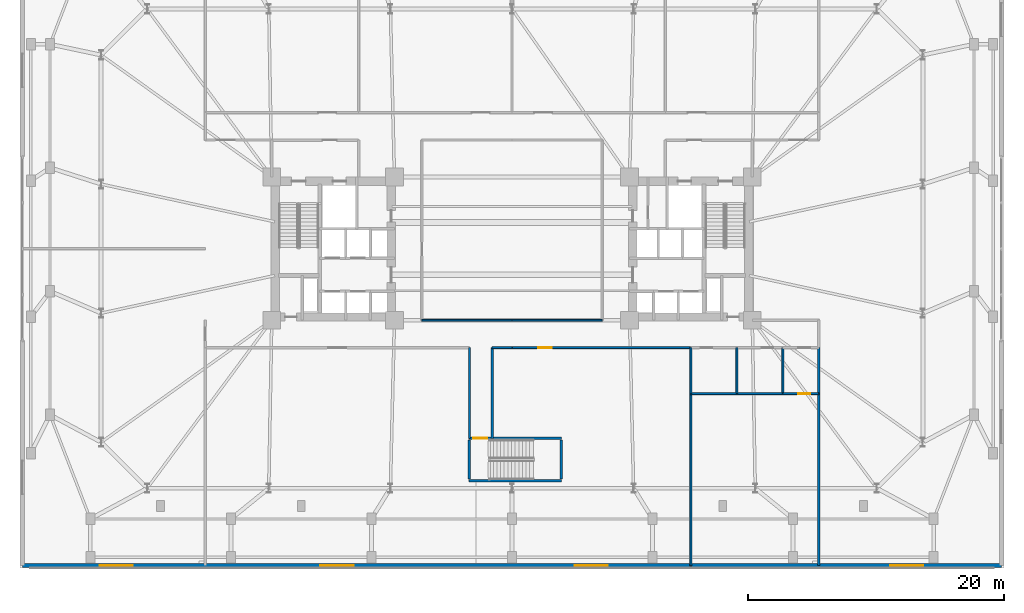
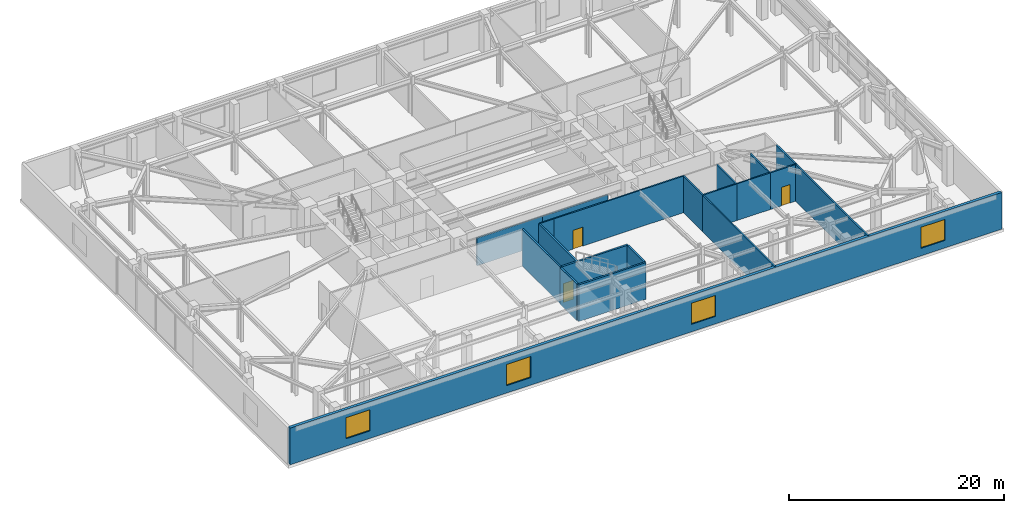
# One storey, part 15 of 23: 20 walls, 4 windows, 3 doors, 7 openings.
"""IFC4 building model written with IfcOpenShell, lengths in metres."""

from ifc_helpers import new_model, si_unit, direction, frame, frame_2d, origin, place, context, subcontext, project, spatial, rectangle, extrude, material, layer, layer_set, type_object, element, fill, save


model = new_model("IFC4")

# Units and contexts
model_context = context("Model", 3, precision=1e-05, world=origin(), true_north=direction((0.0, 1.0)))
body_context = subcontext(model_context, "Body", "Model", "MODEL_VIEW")
ifc_project = project(units=[si_unit("LENGTHUNIT", "METRE"), si_unit("AREAUNIT", "SQUARE_METRE"), si_unit("VOLUMEUNIT", "CUBIC_METRE"), si_unit("PLANEANGLEUNIT", "RADIAN"), si_unit("MASSUNIT", "GRAM", prefix="KILO")], contexts=[model_context])

# Site, building, storey
site_placement = place(None, origin())
site = spatial("IfcSite", under=ifc_project, at=site_placement, CompositionType="ELEMENT")
building_placement = place(site_placement, origin())
building = spatial("IfcBuilding", under=site, at=building_placement, Name="Qobustan Lattice House", CompositionType="ELEMENT")
storey_placement = place(building_placement, frame((0.0, 0.0, 9.0)))
storey = spatial("IfcBuildingStorey", under=building, at=storey_placement, Name="L02", CompositionType="ELEMENT", Elevation=9.0)

# Wall, openings, windows
ifc_material_1 = material(Name="Precast concrete C40/50", Category="concrete")
ifc_layer_1 = layer(ifc_material_1, 0.320068359375)
ifc_layer_set_1 = layer_set([ifc_layer_1], Name="Precast concrete C40/50")
wall_type_1 = type_object("IfcWallType", Name="WAL-EXT-STONE-320", PredefinedType="SOLIDWALL", material=ifc_layer_set_1)
wall_1_placement = place(storey_placement, frame((38.300048828125, -24.800048828125, 0.0), z_axis=(0.0, 0.0, 1.0), x_axis=(-1.0, 0.0, 0.0)))
wall_1 = element("IfcWall", 1, at=wall_1_placement, inside=storey, type_object=wall_type_1, Name="L02 exterior limestone-clad wall 4", PredefinedType="SOLIDWALL", context=body_context, shape_type="SweptSolid", body=[
    extrude(rectangle(XDim=76.60009765625, YDim=0.320068359375, at=frame_2d((38.300048828125, 0.0))), origin(), (0.0, 0.0, 1.0), 4.169921875),
])
opening_1_placement = place(wall_1_placement, frame((6.10400390625, 0.0, 0.85009765625)))
opening_1 = element("IfcOpeningElement", 2, at=opening_1_placement, cuts=wall_1, Name="Opening WN-06", PredefinedType="OPENING", context=body_context, shape_type="SweptSolid", body=[
    extrude(rectangle(XDim=2.60009765625, YDim=2.39990234375, at=frame_2d((1.300048828125, 1.199951171875))), frame((0.0, 0.169921875, 0.0), z_axis=(0.0, -1.0, 0.0), x_axis=(1.0, 0.0, 0.0)), (0.0, 0.0, 1.0), 0.340087890625),
])
opening_2_placement = place(wall_1_placement, frame((30.796875, 0.0, 0.85009765625)))
opening_2 = element("IfcOpeningElement", 3, at=opening_2_placement, cuts=wall_1, Name="Opening WN-06", PredefinedType="OPENING", context=body_context, shape_type="SweptSolid", body=[
    extrude(rectangle(XDim=2.60009765625, YDim=2.39990234375, at=frame_2d((1.300048828125, 1.199951171875))), frame((0.0, 0.169921875, 0.0), z_axis=(0.0, -1.0, 0.0), x_axis=(1.0, 0.0, 0.0)), (0.0, 0.0, 1.0), 0.340087890625),
])
opening_3_placement = place(wall_1_placement, frame((50.68701171875, 0.0, 0.85009765625)))
opening_3 = element("IfcOpeningElement", 4, at=opening_3_placement, cuts=wall_1, Name="Opening WN-06", PredefinedType="OPENING", context=body_context, shape_type="SweptSolid", body=[
    extrude(rectangle(XDim=2.60009765625, YDim=2.39990234375, at=frame_2d((1.300048828125, 1.199951171875))), frame((0.0, 0.169921875, 0.0), z_axis=(0.0, -1.0, 0.0), x_axis=(1.0, 0.0, 0.0)), (0.0, 0.0, 1.0), 0.340087890625),
])
opening_4_placement = place(wall_1_placement, frame((67.976318359375, 0.0, 0.85009765625)))
opening_4 = element("IfcOpeningElement", 5, at=opening_4_placement, cuts=wall_1, Name="Opening WN-06", PredefinedType="OPENING", context=body_context, shape_type="SweptSolid", body=[
    extrude(rectangle(XDim=2.60009765625, YDim=2.39990234375, at=frame_2d((1.300048828125, 1.199951171875))), frame((0.0, 0.169921875, 0.0), z_axis=(0.0, -1.0, 0.0), x_axis=(1.0, 0.0, 0.0)), (0.0, 0.0, 1.0), 0.340087890625),
])
ifc_material_2 = material(Name="Double-glazed low-E aluminium window", Category="aluminium")
window_type = type_object("IfcWindowType", Name="WIN-POD-2600x2400", PartitioningType="SINGLE_PANEL", PredefinedType="WINDOW", material=ifc_material_2)
window_1_placement = place(opening_1_placement, origin())
window_1 = element("IfcWindow", 6, at=window_1_placement, inside=storey, type_object=window_type, Name="L02 Design exhibition hall window", OverallHeight=2.39990234375, OverallWidth=2.60009765625, PartitioningType="SINGLE_PANEL", PredefinedType="WINDOW", context=body_context, shape_type="SweptSolid", body=[
    extrude(rectangle(XDim=2.60009765625, YDim=2.39990234375, at=frame_2d((1.300048828125, 1.199951171875))), frame((0.0, 0.030029296875, 0.0), z_axis=(0.0, -1.0, 0.0), x_axis=(1.0, 0.0, 0.0)), (0.0, 0.0, 1.0), 0.06005859375),
])
fill(opening_1, window_1)
window_2_placement = place(opening_2_placement, origin())
window_2 = element("IfcWindow", 7, at=window_2_placement, inside=storey, type_object=window_type, Name="L02 Critique jury room window", OverallHeight=2.39990234375, OverallWidth=2.60009765625, PartitioningType="SINGLE_PANEL", PredefinedType="WINDOW", context=body_context, shape_type="SweptSolid", body=[
    extrude(rectangle(XDim=2.60009765625, YDim=2.39990234375, at=frame_2d((1.300048828125, 1.199951171875))), frame((0.0, 0.030029296875, 0.0), z_axis=(0.0, -1.0, 0.0), x_axis=(1.0, 0.0, 0.0)), (0.0, 0.0, 1.0), 0.06005859375),
])
fill(opening_2, window_2)
window_3_placement = place(opening_3_placement, origin())
window_3 = element("IfcWindow", 8, at=window_3_placement, inside=storey, type_object=window_type, Name="L02 Acoustic lecture theatre window", OverallHeight=2.39990234375, OverallWidth=2.60009765625, PartitioningType="SINGLE_PANEL", PredefinedType="WINDOW", context=body_context, shape_type="SweptSolid", body=[
    extrude(rectangle(XDim=2.60009765625, YDim=2.39990234375, at=frame_2d((1.300048828125, 1.199951171875))), frame((0.0, 0.030029296875, 0.0), z_axis=(0.0, -1.0, 0.0), x_axis=(1.0, 0.0, 0.0)), (0.0, 0.0, 1.0), 0.06005859375),
])
fill(opening_3, window_3)
window_4_placement = place(opening_4_placement, origin())
window_4 = element("IfcWindow", 9, at=window_4_placement, inside=storey, type_object=window_type, Name="L02 Architecture fabrication makerspace window", OverallHeight=2.39990234375, OverallWidth=2.60009765625, PartitioningType="SINGLE_PANEL", PredefinedType="WINDOW", context=body_context, shape_type="SweptSolid", body=[
    extrude(rectangle(XDim=2.60009765625, YDim=2.39990234375, at=frame_2d((1.300048828125, 1.199951171875))), frame((0.0, 0.030029296875, 0.0), z_axis=(0.0, -1.0, 0.0), x_axis=(1.0, 0.0, 0.0)), (0.0, 0.0, 1.0), 0.06005859375),
])
fill(opening_4, window_4)

# Walls
ifc_material_3 = material(Name="Gypsum fireboard acoustic partition", Category="gypsum")
ifc_layer_2 = layer(ifc_material_3, 0.179931640625)
ifc_layer_set_2 = layer_set([ifc_layer_2], Name="Gypsum fireboard acoustic partition")
wall_type_2 = type_object("IfcWallType", Name="WAL-FIRE-180", PredefinedType="PARTITIONING", material=ifc_layer_set_2)
for number, where, z_axis, x_axis, name in (
    (10, (-3.320068359375, -14.860107421875, 0.0), (0.0, 0.0, 1.0), (0.0, 1.0, 0.0), "L02 interior partition 59"),
    (11, (-1.550048828125, -7.75, 0.0), (0.0, 0.0, 1.0), (0.0, -1.0, 0.0), "L02 interior partition 60"),
):
    element("IfcWall", number, at=place(storey_placement, frame(where, z_axis=z_axis, x_axis=x_axis)), inside=storey, type_object=wall_type_2, Name=name, PredefinedType="PARTITIONING", context=body_context, shape_type="SweptSolid", body=[
        extrude(rectangle(XDim=7.110107421875, YDim=0.179931640625, at=frame_2d((3.55517578125, 0.0))), origin(), (0.0, 0.0, 1.0), 4.169921875),
    ])
ifc_material_4 = material(Name="Acoustic twin-stud gypsum partition", Category="gypsum")
ifc_layer_3 = layer(ifc_material_4, 0.14990234375)
ifc_layer_set_3 = layer_set([ifc_layer_3], Name="Acoustic twin-stud gypsum partition")
wall_type_3 = type_object("IfcWallType", Name="WAL-PART-150", PredefinedType="PARTITIONING", material=ifc_layer_set_3)
wall_2_placement = place(storey_placement, frame((0.0, -7.75, 0.0), z_axis=(0.0, 0.0, 1.0), x_axis=(-1.0, 0.0, 0.0)))
element("IfcWall", 12, at=wall_2_placement, inside=storey, type_object=wall_type_3, Name="L02 interior partition 48", PredefinedType="PARTITIONING", context=body_context, shape_type="SweptSolid", body=[
    extrude(rectangle(XDim=1.550048828125, YDim=0.14990234375, at=frame_2d((0.77490234375, 0.0))), origin(), (0.0, 0.0, 1.0), 4.169921875),
])
wall_3_placement = place(storey_placement, frame((-7.050048828125, -5.60009765625, 0.0), z_axis=(0.0, 0.0, 1.0), x_axis=(1.0, 0.0, 0.0)))
element("IfcWall", 13, at=wall_3_placement, inside=storey, type_object=wall_type_3, Name="L02 interior partition 49", PredefinedType="PARTITIONING", context=body_context, shape_type="SweptSolid", body=[
    extrude(rectangle(XDim=7.050048828125, YDim=0.14990234375, at=frame_2d((3.52490234375, 0.0))), origin(), (0.0, 0.0, 1.0), 3.14697265625),
])

# Wall, opening, door
wall_4_placement = place(storey_placement, frame((14.0, -7.75, 0.0), z_axis=(0.0, 0.0, 1.0), x_axis=(-1.0, 0.0, 0.0)))
wall_4 = element("IfcWall", 14, at=wall_4_placement, inside=storey, type_object=wall_type_3, Name="L02 interior partition 50", PredefinedType="PARTITIONING", context=body_context, shape_type="SweptSolid", body=[
    extrude(rectangle(XDim=14.0, YDim=0.14990234375, at=frame_2d((7.0, 0.0))), origin(), (0.0, 0.0, 1.0), 4.169921875),
])
opening_5_placement = place(wall_4_placement, frame((10.896240234375, 0.0, 0.0)))
opening_5 = element("IfcOpeningElement", 15, at=opening_5_placement, cuts=wall_4, Name="Opening ID-02", PredefinedType="OPENING", context=body_context, shape_type="SweptSolid", body=[
    extrude(rectangle(XDim=1.050048828125, YDim=2.14990234375, at=frame_2d((0.52490234375, 1.074951171875))), frame((0.0, 0.0849609375, 0.0), z_axis=(0.0, -1.0, 0.0), x_axis=(1.0, 0.0, 0.0)), (0.0, 0.0, 1.0), 0.169921875),
])
ifc_material_5 = material(Name="Persian walnut timber and steel frame door", Category="steel")
door_type_1 = type_object("IfcDoorType", Name="DOR-STUDY-1050x2150", OperationType="NOTDEFINED", PredefinedType="DOOR", material=ifc_material_5)
door_1_placement = place(opening_5_placement, origin())
door_1 = element("IfcDoor", 16, at=door_1_placement, inside=storey, type_object=door_type_1, Name="L02 South-east podium corridor to Critique jury room door", OperationType="SINGLE_SWING_RIGHT", OverallHeight=2.14990234375, OverallWidth=1.050048828125, PredefinedType="DOOR", context=body_context, shape_type="SweptSolid", body=[
    extrude(rectangle(XDim=1.050048828125, YDim=2.14990234375, at=frame_2d((0.52490234375, 1.074951171875))), frame((0.0, 0.02490234375, 0.0), z_axis=(0.0, -1.0, 0.0), x_axis=(1.0, 0.0, 0.0)), (0.0, 0.0, 1.0), 0.050048828125),
])
fill(opening_5, door_1)

# Walls
wall_5_placement = place(storey_placement, frame((0.0, -5.60009765625, 0.0), z_axis=(0.0, 0.0, 1.0), x_axis=(1.0, 0.0, 0.0)))
element("IfcWall", 17, at=wall_5_placement, inside=storey, type_object=wall_type_3, Name="L02 interior partition 54", PredefinedType="PARTITIONING", context=body_context, shape_type="SweptSolid", body=[
    extrude(rectangle(XDim=7.050048828125, YDim=0.14990234375, at=frame_2d((3.52490234375, 0.0))), origin(), (0.0, 0.0, 1.0), 3.14697265625),
])
wall_6_placement = place(storey_placement, frame((14.0, -11.35009765625, 0.0), z_axis=(0.0, 0.0, 1.0), x_axis=(0.0, -1.0, 0.0)))
element("IfcWall", 18, at=wall_6_placement, inside=storey, type_object=wall_type_3, Name="L02 interior partition 69", PredefinedType="PARTITIONING", context=body_context, shape_type="SweptSolid", body=[
    extrude(rectangle(XDim=13.449951171875, YDim=0.14990234375, at=frame_2d((6.72509765625, 0.0))), origin(), (0.0, 0.0, 1.0), 4.169921875),
])

# Wall, opening, door
wall_7_placement = place(storey_placement, frame((24.0, -11.35009765625, 0.0), z_axis=(0.0, 0.0, 1.0), x_axis=(-1.0, 0.0, 0.0)))
wall_7 = element("IfcWall", 19, at=wall_7_placement, inside=storey, type_object=wall_type_3, Name="L02 interior partition 74", PredefinedType="PARTITIONING", context=body_context, shape_type="SweptSolid", body=[
    extrude(rectangle(XDim=2.800048828125, YDim=0.14990234375, at=frame_2d((1.39990234375, 0.0))), origin(), (0.0, 0.0, 1.0), 4.169921875),
])
opening_6_placement = place(wall_7_placement, frame((0.666259765625, 0.0, 0.0)))
opening_6 = element("IfcOpeningElement", 20, at=opening_6_placement, cuts=wall_7, Name="Opening ID-01", PredefinedType="OPENING", context=body_context, shape_type="SweptSolid", body=[
    extrude(rectangle(XDim=0.949951171875, YDim=2.10009765625, at=frame_2d((0.47509765625, 1.050048828125))), frame((0.0, 0.0849609375, 0.0), z_axis=(0.0, -1.0, 0.0), x_axis=(1.0, 0.0, 0.0)), (0.0, 0.0, 1.0), 0.169921875),
])
ifc_material_6 = material(Name="Persian walnut timber and steel frame door", Category="steel")
door_type_2 = type_object("IfcDoorType", Name="DOR-ROOM-950x2100", OperationType="NOTDEFINED", PredefinedType="DOOR", material=ifc_material_6)
door_2_placement = place(opening_6_placement, origin())
door_2 = element("IfcDoor", 21, at=door_2_placement, inside=storey, type_object=door_type_2, Name="L02 Janitor supply store to Equipment and archive store door", OperationType="SINGLE_SWING_LEFT", OverallHeight=2.10009765625, OverallWidth=0.949951171875, PredefinedType="DOOR", context=body_context, shape_type="SweptSolid", body=[
    extrude(rectangle(XDim=0.949951171875, YDim=2.10009765625, at=frame_2d((0.47509765625, 1.050048828125))), frame((0.0, 0.02490234375, 0.0), z_axis=(0.0, -1.0, 0.0), x_axis=(1.0, 0.0, 0.0)), (0.0, 0.0, 1.0), 0.050048828125),
])
fill(opening_6, door_2)

# Walls
ifc_material_7 = material(Name="High-mass acoustic twin-stud partition", Category="gypsum")
ifc_layer_4 = layer(ifc_material_7, 0.1650390625)
ifc_layer_set_4 = layer_set([ifc_layer_4], Name="High-mass acoustic twin-stud partition")
wall_type_4 = type_object("IfcWallType", Name="WAL-PART-165", PredefinedType="PARTITIONING", material=ifc_layer_set_4)
wall_8_placement = place(storey_placement, frame((24.0, -7.75, 0.0), z_axis=(0.0, 0.0, 1.0), x_axis=(0.0, -1.0, 0.0)))
element("IfcWall", 22, at=wall_8_placement, inside=storey, type_object=wall_type_4, Name="L02 interior partition 75", PredefinedType="PARTITIONING", context=body_context, shape_type="SweptSolid", body=[
    extrude(rectangle(XDim=3.60009765625, YDim=0.1650390625, at=frame_2d((1.800048828125, 0.0))), origin(), (0.0, 0.0, 1.0), 4.169921875),
])
wall_9_placement = place(storey_placement, frame((24.0, -11.35009765625, 0.0), z_axis=(0.0, 0.0, 1.0), x_axis=(0.0, -1.0, 0.0)))
element("IfcWall", 23, at=wall_9_placement, inside=storey, type_object=wall_type_4, Name="L02 interior partition 76", PredefinedType="PARTITIONING", context=body_context, shape_type="SweptSolid", body=[
    extrude(rectangle(XDim=13.449951171875, YDim=0.1650390625, at=frame_2d((6.72509765625, 0.0))), origin(), (0.0, 0.0, 1.0), 4.169921875),
])

# Wall, opening, door
ifc_material_8 = material(Name="Concrete C40/50", Category="concrete")
ifc_layer_5 = layer(ifc_material_8, 0.199951171875)
ifc_layer_set_5 = layer_set([ifc_layer_5], Name="Concrete C40/50")
wall_type_5 = type_object("IfcWallType", Name="WAL-SHAFT-LB-200", PredefinedType="SHEAR", material=ifc_layer_set_5)
wall_10_placement = place(storey_placement, frame((-3.360107421875, -14.840087890625, 0.0), z_axis=(0.0, 0.0, 1.0), x_axis=(1.0, 0.0, 0.0)))
wall_10 = element("IfcWall", 24, at=wall_10_placement, inside=storey, type_object=wall_type_5, Name="L02 podium stair ST-P1 RC shaft wall STP-N", PredefinedType="SHEAR", context=body_context, shape_type="SweptSolid", body=[
    extrude(rectangle(XDim=7.22021484375, YDim=0.199951171875, at=frame_2d((3.610107421875, 0.0))), origin(), (0.0, 0.0, 1.0), 4.169921875),
])
opening_7_placement = place(wall_10_placement, frame((0.31005859375, 0.0, 0.0)))
opening_7 = element("IfcOpeningElement", 25, at=opening_7_placement, cuts=wall_10, Name="Opening SD-01", PredefinedType="OPENING", context=body_context, shape_type="SweptSolid", body=[
    extrude(rectangle(XDim=1.10009765625, YDim=2.14990234375, at=frame_2d((0.550048828125, 1.074951171875))), frame((0.0, 0.10986328125, 0.0), z_axis=(0.0, -1.0, 0.0), x_axis=(1.0, 0.0, 0.0)), (0.0, 0.0, 1.0), 0.219970703125),
])
ifc_material_9 = material(Name="Persian walnut timber and steel frame door", Category="steel")
door_type_3 = type_object("IfcDoorType", Name="DOR-STAIR-FD-1100x2150", OperationType="NOTDEFINED", PredefinedType="DOOR", material=ifc_material_9)
door_3_placement = place(opening_7_placement, origin())
door_3 = element("IfcDoor", 26, at=door_3_placement, inside=storey, type_object=door_type_3, Name="L02 podium stair ST-P1 fire door", OperationType="SINGLE_SWING_RIGHT", OverallHeight=2.14990234375, OverallWidth=1.10009765625, PredefinedType="DOOR", context=body_context, shape_type="SweptSolid", body=[
    extrude(rectangle(XDim=1.10009765625, YDim=2.14990234375, at=frame_2d((0.550048828125, 1.074951171875))), frame((0.0, 0.02490234375, 0.0), z_axis=(0.0, -1.0, 0.0), x_axis=(1.0, 0.0, 0.0)), (0.0, 0.0, 1.0), 0.050048828125),
])
fill(opening_7, door_3)

# Walls
wall_11_placement = place(storey_placement, frame((-3.360107421875, -18.159912109375, 0.0), z_axis=(0.0, 0.0, 1.0), x_axis=(1.0, 0.0, 0.0)))
element("IfcWall", 27, at=wall_11_placement, inside=storey, type_object=wall_type_5, Name="L02 podium stair ST-P1 RC shaft wall STP-S", PredefinedType="SHEAR", context=body_context, shape_type="SweptSolid", body=[
    extrude(rectangle(XDim=7.22021484375, YDim=0.199951171875, at=frame_2d((3.610107421875, 0.0))), origin(), (0.0, 0.0, 1.0), 4.169921875),
])
for number, where, z_axis, x_axis, name in (
    (28, (-3.360107421875, -18.0400390625, 0.0), (0.0, 0.0, 1.0), (0.0, 1.0, 0.0), "L02 podium stair ST-P1 RC shaft wall STP-W"),
    (29, (3.860107421875, -18.0400390625, 0.0), (0.0, 0.0, 1.0), (0.0, 1.0, 0.0), "L02 podium stair ST-P1 RC shaft wall STP-E"),
):
    element("IfcWall", number, at=place(storey_placement, frame(where, z_axis=z_axis, x_axis=x_axis)), inside=storey, type_object=wall_type_5, Name=name, PredefinedType="SHEAR", context=body_context, shape_type="SweptSolid", body=[
        extrude(rectangle(XDim=3.080078125, YDim=0.199951171875, at=frame_2d((1.5400390625, 0.0))), origin(), (0.0, 0.0, 1.0), 4.169921875),
    ])
ifc_material_10 = material(Name="Moisture-resistant acoustic plumbing wall", Category="gypsum")
ifc_layer_6 = layer(ifc_material_10, 0.14990234375)
ifc_layer_set_6 = layer_set([ifc_layer_6], Name="Moisture-resistant acoustic plumbing wall")
wall_type_6 = type_object("IfcWallType", Name="WAL-WET-150", PredefinedType="PLUMBINGWALL", material=ifc_layer_set_6)
for number, where, z_axis, x_axis, name in (
    (30, (14.0, -7.75, 0.0), (0.0, 0.0, 1.0), (0.0, -1.0, 0.0), "L02 interior partition 68"),
    (31, (17.60009765625, -7.75, 0.0), (0.0, 0.0, 1.0), (0.0, -1.0, 0.0), "L02 interior partition 70"),
    (32, (17.60009765625, -11.35009765625, 0.0), (0.0, 0.0, 1.0), (-1.0, 0.0, 0.0), "L02 interior partition 71"),
    (33, (21.199951171875, -7.75, 0.0), (0.0, 0.0, 1.0), (0.0, -1.0, 0.0), "L02 interior partition 72"),
):
    element("IfcWall", number, at=place(storey_placement, frame(where, z_axis=z_axis, x_axis=x_axis)), inside=storey, type_object=wall_type_6, Name=name, PredefinedType="PLUMBINGWALL", context=body_context, shape_type="SweptSolid", body=[
        extrude(rectangle(XDim=3.60009765625, YDim=0.14990234375, at=frame_2d((1.800048828125, 0.0))), origin(), (0.0, 0.0, 1.0), 4.169921875),
    ])
wall_12_placement = place(storey_placement, frame((21.199951171875, -11.35009765625, 0.0), z_axis=(0.0, 0.0, 1.0), x_axis=(-1.0, 0.0, 0.0)))
element("IfcWall", 34, at=wall_12_placement, inside=storey, type_object=wall_type_6, Name="L02 interior partition 73", PredefinedType="PLUMBINGWALL", context=body_context, shape_type="SweptSolid", body=[
    extrude(rectangle(XDim=3.599853515625, YDim=0.14990234375, at=frame_2d((1.7998046875, 0.0))), origin(), (0.0, 0.0, 1.0), 4.169921875),
])

save(model, "model.ifc")
